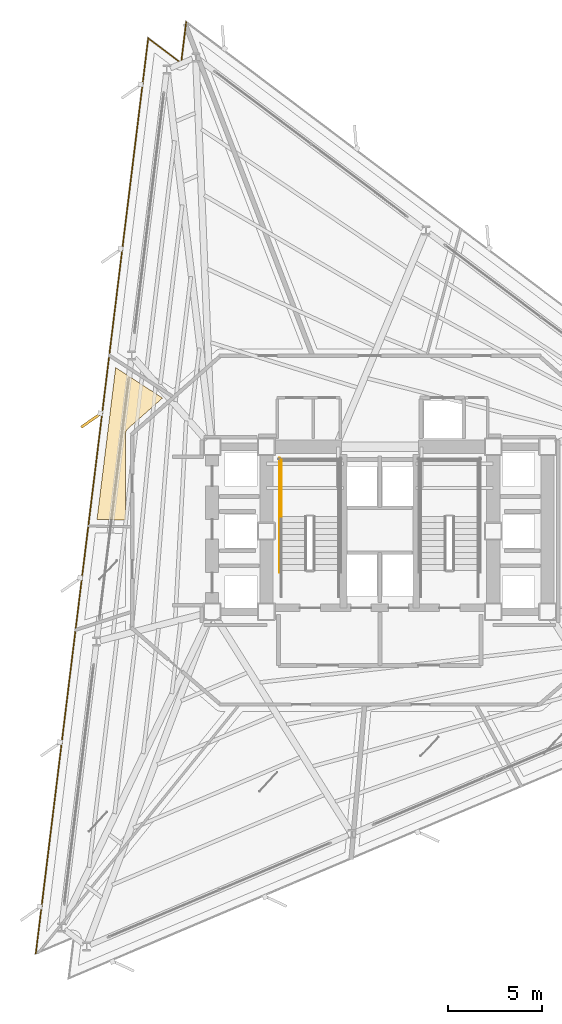
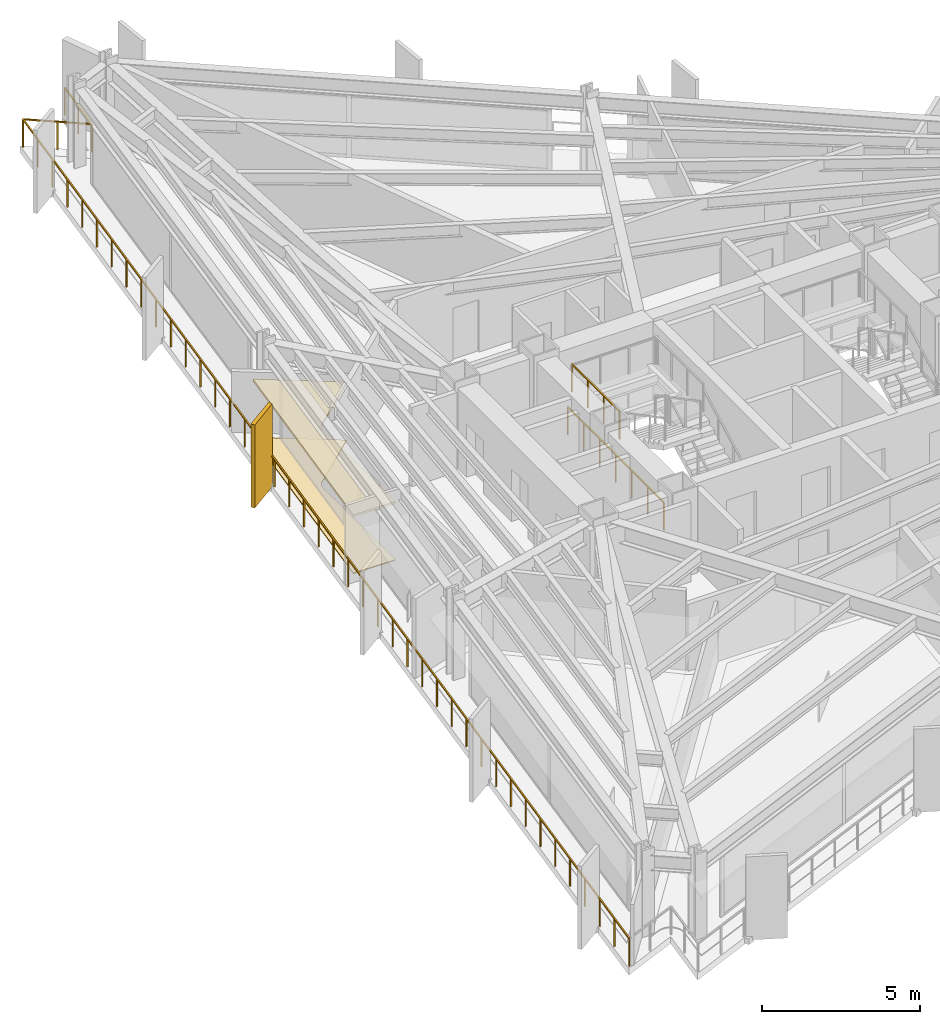
# One storey, part 11 of 13: 3 railings, 2 coverings, 1 shading device.
"""IFC4 building model written with IfcOpenShell, lengths in metres."""

from ifc_helpers import new_model, si_unit, direction, frame, origin, origin_2d, place, context, subcontext, project, spatial, polyline, rectangle, outline, extrude, material, layer, layer_set, type_object, element, save


model = new_model("IFC4")

# Units and contexts
model_context = context("Model", 3, precision=1e-05, world=origin(), true_north=direction((0.0, 1.0)))
body_context = subcontext(model_context, "Body", "Model", "MODEL_VIEW")
ifc_project = project(units=[si_unit("LENGTHUNIT", "METRE"), si_unit("AREAUNIT", "SQUARE_METRE"), si_unit("VOLUMEUNIT", "CUBIC_METRE"), si_unit("PLANEANGLEUNIT", "RADIAN"), si_unit("MASSUNIT", "GRAM", prefix="KILO")], contexts=[model_context])

# Site, building, storey
site_placement = place(None, origin())
site = spatial("IfcSite", under=ifc_project, at=site_placement, CompositionType="ELEMENT")
building_placement = place(site_placement, origin())
building = spatial("IfcBuilding", under=site, at=building_placement, Name="Rocaltana Carrier Exchange", CompositionType="ELEMENT")
storey_placement = place(building_placement, frame((0.0, 0.0, 59.679931640625)))
storey = spatial("IfcBuildingStorey", under=building, at=storey_placement, Name="L18", CompositionType="ELEMENT", Elevation=59.679931640625)

# Coverings
ifc_material_1 = material(Name="Honed Bogota Sandstone Tile", Category="masonry")
ifc_layer_1 = layer(ifc_material_1, 0.0400390625)
ifc_layer_set_1 = layer_set([ifc_layer_1], Name="Honed Bogota Sandstone Tile")
covering_type_1 = type_object("IfcCoveringType", Name="Honed Stone Lobby Flooring 40", PredefinedType="FLOORING", material=ifc_layer_set_1)
covering_1_placement = place(storey_placement, origin())
element("IfcCovering", 1, at=covering_1_placement, inside=storey, type_object=covering_type_1, Name="L18 Client Reception Foyer Finish Floor", PredefinedType="FLOORING", context=body_context, shape_type="SweptSolid", body=[
    extrude(outline(polyline([(-14.0927734375, 8.72265625), (-11.593017578125, 7.099365234375), (-13.438232421875, 5.469970703125), (-13.447998046875, 5.4609375), (-13.453369140625, 5.455810546875), (-13.471435546875, 5.436279296875), (-13.476318359375, 5.4306640625), (-13.492431640625, 5.409912109375), (-13.49658203125, 5.40380859375), (-13.5107421875, 5.38134765625), (-13.5146484375, 5.375), (-13.526611328125, 5.351318359375), (-13.529541015625, 5.344482421875), (-13.539306640625, 5.320068359375), (-13.541748046875, 5.31298828125), (-13.549072265625, 5.28759765625), (-13.55078125, 5.2802734375), (-13.555908203125, 5.25439453125), (-13.556884765625, 5.246826171875), (-13.559326171875, 5.220703125), (-13.559814453125, 5.213134765625), (-13.56005859375, 5.199951171875), (-13.56005859375, 0.5966796875), (-15.087158203125, 0.623291015625), (-14.0927734375, 8.72265625)])), origin(), (0.0, 0.0, 1.0), 0.0400390625),
])
ifc_material_2 = material(Name="Anodised Aluminium 6063-T6", Category="aluminium")
ifc_layer_2 = layer(ifc_material_2, 0.0849609375)
ifc_layer_set_2 = layer_set([ifc_layer_2], Name="Anodised Aluminium 6063-T6")
covering_type_2 = type_object("IfcCoveringType", Name="Linear Baffle Acoustic Ceiling 85", PredefinedType="CEILING", material=ifc_layer_set_2)
covering_2_placement = place(storey_placement, frame((0.0, 0.0, 2.203125)))
element("IfcCovering", 2, at=covering_2_placement, inside=storey, type_object=covering_type_2, Name="L18 Client Reception Foyer Acoustic Ceiling", PredefinedType="CEILING", context=body_context, shape_type="SweptSolid", body=[
    extrude(outline(polyline([(-14.0927734375, 8.72265625), (-11.593017578125, 7.099365234375), (-13.438232421875, 5.469970703125), (-13.447998046875, 5.4609375), (-13.453369140625, 5.455810546875), (-13.471435546875, 5.436279296875), (-13.476318359375, 5.4306640625), (-13.492431640625, 5.409912109375), (-13.49658203125, 5.40380859375), (-13.5107421875, 5.38134765625), (-13.5146484375, 5.375), (-13.526611328125, 5.351318359375), (-13.529541015625, 5.344482421875), (-13.539306640625, 5.320068359375), (-13.541748046875, 5.31298828125), (-13.549072265625, 5.28759765625), (-13.55078125, 5.2802734375), (-13.555908203125, 5.25439453125), (-13.556884765625, 5.246826171875), (-13.559326171875, 5.220703125), (-13.559814453125, 5.213134765625), (-13.56005859375, 5.199951171875), (-13.56005859375, 0.5966796875), (-15.087158203125, 0.623291015625), (-14.0927734375, 8.72265625)])), origin(), (0.0, 0.0, 1.0), 0.0849609375),
])

# Railings
ifc_material_3 = material(Name="Powder-Coated Aluminium 6063-T6", Category="aluminium")
ifc_layer_3 = layer(ifc_material_3, 0.048095703125)
ifc_layer_set_3 = layer_set([ifc_layer_3], Name="Powder-Coated Aluminium 6063-T6")
railing_type_1 = type_object("IfcRailingType", Name="Stair Well Guardrail 1100", PredefinedType="GUARDRAIL", material=ifc_layer_set_3)
railing_1_placement = place(storey_placement, frame((-5.25, 0.780029296875, 1.68017578125)))
element("IfcRailing", 3, at=railing_1_placement, inside=storey, type_object=railing_type_1, Name="L18 ST-1 stair guard 4", PredefinedType="GUARDRAIL", context=body_context, shape_type="SweptSolid", body=[
    extrude(rectangle(XDim=0.048095703125, YDim=0.048095703125, at=origin_2d()), frame((0.0, 0.0, 1.076171875), z_axis=(0.0, 1.0, 0.0), x_axis=(-1.0, 0.0, 0.0)), (0.0, 0.0, 1.0), 3.02001953125),
    extrude(rectangle(XDim=0.0419921875, YDim=0.0419921875, at=origin_2d()), origin(), (0.0, 0.0, 1.0), 1.052001953125),
    extrude(rectangle(XDim=0.0419921875, YDim=0.0419921875, at=origin_2d()), frame((0.0, 1.006591796875, 0.0)), (0.0, 0.0, 1.0), 1.052001953125),
    extrude(rectangle(XDim=0.0419921875, YDim=0.0419921875, at=origin_2d()), frame((0.0, 2.013427734375, 0.0)), (0.0, 0.0, 1.0), 1.052001953125),
    extrude(rectangle(XDim=0.0419921875, YDim=0.0419921875, at=origin_2d()), frame((0.0, 3.02001953125, 0.0)), (0.0, 0.0, 1.0), 1.052001953125),
])
railing_2_placement = place(storey_placement, frame((-5.35009765625, -2.199951171875, 0.0)))
element("IfcRailing", 4, at=railing_2_placement, inside=storey, type_object=railing_type_1, Name="L18 ST-1 stair guard 11", PredefinedType="GUARDRAIL", context=body_context, shape_type="SweptSolid", body=[
    extrude(rectangle(XDim=0.048095703125, YDim=0.048095703125, at=origin_2d()), frame((0.0, 0.0, 1.076171875), z_axis=(0.0, 1.0, 0.0), x_axis=(-1.0, 0.0, 0.0)), (0.0, 0.0, 1.0), 6.099853515625),
    extrude(rectangle(XDim=0.0419921875, YDim=0.0419921875, at=origin_2d()), origin(), (0.0, 0.0, 1.0), 1.052001953125),
    extrude(rectangle(XDim=0.0419921875, YDim=0.0419921875, at=origin_2d()), frame((0.0, 1.0166015625, 0.0)), (0.0, 0.0, 1.0), 1.052001953125),
    extrude(rectangle(XDim=0.0419921875, YDim=0.0419921875, at=origin_2d()), frame((0.0, 2.033203125, 0.0)), (0.0, 0.0, 1.0), 1.052001953125),
    extrude(rectangle(XDim=0.0419921875, YDim=0.0419921875, at=origin_2d()), frame((0.0, 3.0498046875, 0.0)), (0.0, 0.0, 1.0), 1.052001953125),
    extrude(rectangle(XDim=0.0419921875, YDim=0.0419921875, at=origin_2d()), frame((0.0, 4.066650390625, 0.0)), (0.0, 0.0, 1.0), 1.052001953125),
    extrude(rectangle(XDim=0.0419921875, YDim=0.0419921875, at=origin_2d()), frame((0.0, 5.083251953125, 0.0)), (0.0, 0.0, 1.0), 1.052001953125),
    extrude(rectangle(XDim=0.0419921875, YDim=0.0419921875, at=origin_2d()), frame((0.0, 6.099853515625, 0.0)), (0.0, 0.0, 1.0), 1.052001953125),
])

# Shading device
ifc_material_4 = material(Name="Honed Bogota Sandstone & Concrete C45/55", Category="masonry")
ifc_layer_4 = layer(ifc_material_4, 0.139892578125)
ifc_layer_set_4 = layer_set([ifc_layer_4], Name="Honed Bogota Sandstone & Concrete C45/55")
shading_device_type = type_object("IfcShadingDeviceType", Name="Vertical Sandstone Shading Fin 1320x140", PredefinedType="USERDEFINED", material=ifc_layer_set_4)
shading_device_placement = place(storey_placement, frame((-15.38427734375, 5.92431640625, -0.1201171875), z_axis=(0.0, 0.0, 1.0), x_axis=(-0.819152044289, -0.573576436351, 0.0)))
element("IfcShadingDevice", 5, at=shading_device_placement, inside=storey, type_object=shading_device_type, Name="L18 Sandstone Vertical Fin F2-03", ObjectType="FIN", PredefinedType="USERDEFINED", context=body_context, shape_type="SweptSolid", body=[
    extrude(rectangle(XDim=1.320068359375, YDim=0.139892578125, at=origin_2d()), origin(), (0.0, 0.0, 1.0), 3.218017578125),
])

# Railing
ifc_material_5 = material(Name="Powder-Coated Aluminium 6063-T6", Category="aluminium")
ifc_layer_5 = layer(ifc_material_5, 0.06005859375)
ifc_layer_set_5 = layer_set([ifc_layer_5], Name="Powder-Coated Aluminium 6063-T6")
railing_type_2 = type_object("IfcRailingType", Name="Wind-Floor & Terrace Perimeter Guardrail 1100", PredefinedType="GUARDRAIL", material=ifc_layer_set_5)
railing_3_placement = place(storey_placement, frame((-18.352783203125, -22.52734375, 0.0)))
element("IfcRailing", 6, at=railing_3_placement, inside=storey, type_object=railing_type_2, Name="L18 Perimeter Balcony Guardrail 2", PredefinedType="GUARDRAIL", context=body_context, shape_type="SweptSolid", body=[
    extrude(rectangle(XDim=0.048095703125, YDim=0.048095703125, at=origin_2d()), frame((0.0, 0.0, 1.076171875), z_axis=(0.12186659782, 0.992546488753, 0.0), x_axis=(-0.992546488753, 0.12186659782, 0.0)), (0.0, 0.0, 1.0), 49.192138671875),
    extrude(rectangle(XDim=0.048095703125, YDim=0.048095703125, at=origin_2d()), frame((5.994873046875, 48.825439453125, 1.076171875), z_axis=(0.798653030423, -0.601791772125, 0.0), x_axis=(0.601791772125, 0.798653030423, 0.0)), (0.0, 0.0, 1.0), 2.199951171875),
    extrude(rectangle(XDim=0.048095703125, YDim=0.048095703125, at=origin_2d()), frame((7.751953125, 47.50146484375, 1.076171875), z_axis=(0.121849105842, 0.992548636292, 0.0), x_axis=(-0.992548636292, 0.121849105842, 0.0)), (0.0, 0.0, 1.0), 2.199951171875),
    extrude(rectangle(XDim=0.0419921875, YDim=0.0419921875, at=origin_2d()), origin(), (0.0, 0.0, 1.0), 1.052001953125),
    extrude(rectangle(XDim=0.0419921875, YDim=0.0419921875, at=origin_2d()), frame((0.146240234375, 1.19091796875, 0.0)), (0.0, 0.0, 1.0), 1.052001953125),
    extrude(rectangle(XDim=0.0419921875, YDim=0.0419921875, at=origin_2d()), frame((0.29248046875, 2.3818359375, 0.0)), (0.0, 0.0, 1.0), 1.052001953125),
    extrude(rectangle(XDim=0.0419921875, YDim=0.0419921875, at=origin_2d()), frame((0.438720703125, 3.572509765625, 0.0)), (0.0, 0.0, 1.0), 1.052001953125),
    extrude(rectangle(XDim=0.0419921875, YDim=0.0419921875, at=origin_2d()), frame((0.5849609375, 4.763427734375, 0.0)), (0.0, 0.0, 1.0), 1.052001953125),
    extrude(rectangle(XDim=0.0419921875, YDim=0.0419921875, at=origin_2d()), frame((0.731201171875, 5.954345703125, 0.0)), (0.0, 0.0, 1.0), 1.052001953125),
    extrude(rectangle(XDim=0.0419921875, YDim=0.0419921875, at=origin_2d()), frame((0.877197265625, 7.145263671875, 0.0)), (0.0, 0.0, 1.0), 1.052001953125),
    extrude(rectangle(XDim=0.0419921875, YDim=0.0419921875, at=origin_2d()), frame((1.0234375, 8.3359375, 0.0)), (0.0, 0.0, 1.0), 1.052001953125),
    extrude(rectangle(XDim=0.0419921875, YDim=0.0419921875, at=origin_2d()), frame((1.169677734375, 9.52685546875, 0.0)), (0.0, 0.0, 1.0), 1.052001953125),
    extrude(rectangle(XDim=0.0419921875, YDim=0.0419921875, at=origin_2d()), frame((1.31591796875, 10.7177734375, 0.0)), (0.0, 0.0, 1.0), 1.052001953125),
    extrude(rectangle(XDim=0.0419921875, YDim=0.0419921875, at=origin_2d()), frame((1.462158203125, 11.90869140625, 0.0)), (0.0, 0.0, 1.0), 1.052001953125),
    extrude(rectangle(XDim=0.0419921875, YDim=0.0419921875, at=origin_2d()), frame((1.6083984375, 13.099609375, 0.0)), (0.0, 0.0, 1.0), 1.052001953125),
    extrude(rectangle(XDim=0.0419921875, YDim=0.0419921875, at=origin_2d()), frame((1.754638671875, 14.290283203125, 0.0)), (0.0, 0.0, 1.0), 1.052001953125),
    extrude(rectangle(XDim=0.0419921875, YDim=0.0419921875, at=origin_2d()), frame((1.90087890625, 15.481201171875, 0.0)), (0.0, 0.0, 1.0), 1.052001953125),
    extrude(rectangle(XDim=0.0419921875, YDim=0.0419921875, at=origin_2d()), frame((2.047119140625, 16.672119140625, 0.0)), (0.0, 0.0, 1.0), 1.052001953125),
    extrude(rectangle(XDim=0.0419921875, YDim=0.0419921875, at=origin_2d()), frame((2.193359375, 17.863037109375, 0.0)), (0.0, 0.0, 1.0), 1.052001953125),
    extrude(rectangle(XDim=0.0419921875, YDim=0.0419921875, at=origin_2d()), frame((2.33935546875, 19.0537109375, 0.0)), (0.0, 0.0, 1.0), 1.052001953125),
    extrude(rectangle(XDim=0.0419921875, YDim=0.0419921875, at=origin_2d()), frame((2.485595703125, 20.24462890625, 0.0)), (0.0, 0.0, 1.0), 1.052001953125),
    extrude(rectangle(XDim=0.0419921875, YDim=0.0419921875, at=origin_2d()), frame((2.6318359375, 21.435546875, 0.0)), (0.0, 0.0, 1.0), 1.052001953125),
    extrude(rectangle(XDim=0.0419921875, YDim=0.0419921875, at=origin_2d()), frame((2.778076171875, 22.62646484375, 0.0)), (0.0, 0.0, 1.0), 1.052001953125),
    extrude(rectangle(XDim=0.0419921875, YDim=0.0419921875, at=origin_2d()), frame((2.92431640625, 23.8173828125, 0.0)), (0.0, 0.0, 1.0), 1.052001953125),
    extrude(rectangle(XDim=0.0419921875, YDim=0.0419921875, at=origin_2d()), frame((3.070556640625, 25.008056640625, 0.0)), (0.0, 0.0, 1.0), 1.052001953125),
    extrude(rectangle(XDim=0.0419921875, YDim=0.0419921875, at=origin_2d()), frame((3.216796875, 26.198974609375, 0.0)), (0.0, 0.0, 1.0), 1.052001953125),
    extrude(rectangle(XDim=0.0419921875, YDim=0.0419921875, at=origin_2d()), frame((3.363037109375, 27.389892578125, 0.0)), (0.0, 0.0, 1.0), 1.052001953125),
    extrude(rectangle(XDim=0.0419921875, YDim=0.0419921875, at=origin_2d()), frame((3.50927734375, 28.580810546875, 0.0)), (0.0, 0.0, 1.0), 1.052001953125),
    extrude(rectangle(XDim=0.0419921875, YDim=0.0419921875, at=origin_2d()), frame((3.655517578125, 29.771728515625, 0.0)), (0.0, 0.0, 1.0), 1.052001953125),
    extrude(rectangle(XDim=0.0419921875, YDim=0.0419921875, at=origin_2d()), frame((3.801513671875, 30.96240234375, 0.0)), (0.0, 0.0, 1.0), 1.052001953125),
    extrude(rectangle(XDim=0.0419921875, YDim=0.0419921875, at=origin_2d()), frame((3.94775390625, 32.1533203125, 0.0)), (0.0, 0.0, 1.0), 1.052001953125),
    extrude(rectangle(XDim=0.0419921875, YDim=0.0419921875, at=origin_2d()), frame((4.093994140625, 33.34423828125, 0.0)), (0.0, 0.0, 1.0), 1.052001953125),
    extrude(rectangle(XDim=0.0419921875, YDim=0.0419921875, at=origin_2d()), frame((4.240234375, 34.53515625, 0.0)), (0.0, 0.0, 1.0), 1.052001953125),
    extrude(rectangle(XDim=0.0419921875, YDim=0.0419921875, at=origin_2d()), frame((4.386474609375, 35.725830078125, 0.0)), (0.0, 0.0, 1.0), 1.052001953125),
    extrude(rectangle(XDim=0.0419921875, YDim=0.0419921875, at=origin_2d()), frame((4.53271484375, 36.916748046875, 0.0)), (0.0, 0.0, 1.0), 1.052001953125),
    extrude(rectangle(XDim=0.0419921875, YDim=0.0419921875, at=origin_2d()), frame((4.678955078125, 38.107666015625, 0.0)), (0.0, 0.0, 1.0), 1.052001953125),
    extrude(rectangle(XDim=0.0419921875, YDim=0.0419921875, at=origin_2d()), frame((4.8251953125, 39.298583984375, 0.0)), (0.0, 0.0, 1.0), 1.052001953125),
    extrude(rectangle(XDim=0.0419921875, YDim=0.0419921875, at=origin_2d()), frame((4.971435546875, 40.489501953125, 0.0)), (0.0, 0.0, 1.0), 1.052001953125),
    extrude(rectangle(XDim=0.0419921875, YDim=0.0419921875, at=origin_2d()), frame((5.11767578125, 41.68017578125, 0.0)), (0.0, 0.0, 1.0), 1.052001953125),
    extrude(rectangle(XDim=0.0419921875, YDim=0.0419921875, at=origin_2d()), frame((5.263671875, 42.87109375, 0.0)), (0.0, 0.0, 1.0), 1.052001953125),
    extrude(rectangle(XDim=0.0419921875, YDim=0.0419921875, at=origin_2d()), frame((5.409912109375, 44.06201171875, 0.0)), (0.0, 0.0, 1.0), 1.052001953125),
    extrude(rectangle(XDim=0.0419921875, YDim=0.0419921875, at=origin_2d()), frame((5.55615234375, 45.2529296875, 0.0)), (0.0, 0.0, 1.0), 1.052001953125),
    extrude(rectangle(XDim=0.0419921875, YDim=0.0419921875, at=origin_2d()), frame((5.702392578125, 46.443603515625, 0.0)), (0.0, 0.0, 1.0), 1.052001953125),
    extrude(rectangle(XDim=0.0419921875, YDim=0.0419921875, at=origin_2d()), frame((5.8486328125, 47.634521484375, 0.0)), (0.0, 0.0, 1.0), 1.052001953125),
    extrude(rectangle(XDim=0.0419921875, YDim=0.0419921875, at=origin_2d()), frame((5.994873046875, 48.825439453125, 0.0)), (0.0, 0.0, 1.0), 1.052001953125),
    extrude(rectangle(XDim=0.0419921875, YDim=0.0419921875, at=origin_2d()), frame((6.87353515625, 48.16357421875, 0.0)), (0.0, 0.0, 1.0), 1.052001953125),
    extrude(rectangle(XDim=0.0419921875, YDim=0.0419921875, at=origin_2d()), frame((7.751953125, 47.50146484375, 0.0)), (0.0, 0.0, 1.0), 1.052001953125),
    extrude(rectangle(XDim=0.0419921875, YDim=0.0419921875, at=origin_2d()), frame((7.885986328125, 48.59326171875, 0.0)), (0.0, 0.0, 1.0), 1.052001953125),
    extrude(rectangle(XDim=0.0419921875, YDim=0.0419921875, at=origin_2d()), frame((8.02001953125, 49.68505859375, 0.0)), (0.0, 0.0, 1.0), 1.052001953125),
])

save(model, "model.ifc")
